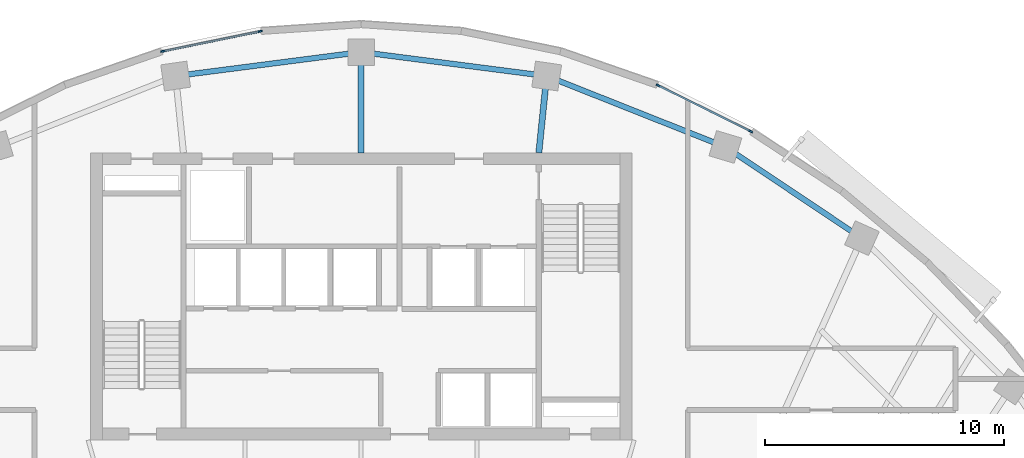
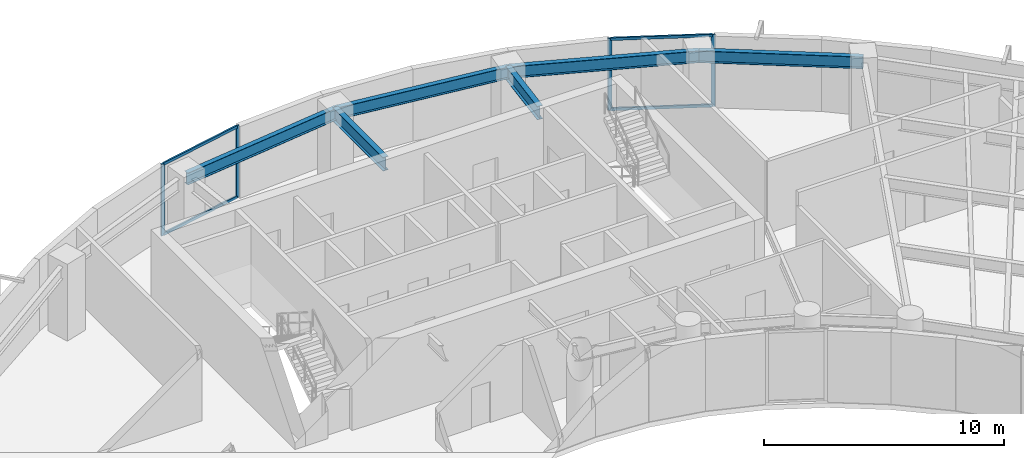
# One storey, part 5 of 13: 8 members, 6 beams, 2 elements without a shape of their own.
"""IFC4 building model written with IfcOpenShell, lengths in metres."""

from ifc_helpers import new_model, si_unit, direction, frame, origin, origin_2d, place, context, subcontext, project, spatial, rectangle, i_section, extrude, source, transform, mapped, material, layer, layer_set, material_profile, profile_set, type_object, element, aggregate, save


model = new_model("IFC4")

# Units and contexts
model_context = context("Model", 3, precision=1e-05, world=origin(), true_north=direction((0.0, 1.0)))
body_context = subcontext(model_context, "Body", "Model", "MODEL_VIEW")
ifc_project = project(units=[si_unit("LENGTHUNIT", "METRE"), si_unit("AREAUNIT", "SQUARE_METRE"), si_unit("VOLUMEUNIT", "CUBIC_METRE"), si_unit("PLANEANGLEUNIT", "RADIAN"), si_unit("MASSUNIT", "GRAM", prefix="KILO")], contexts=[model_context])

# Site, building, storey
site_placement = place(None, origin())
site = spatial("IfcSite", under=ifc_project, at=site_placement, CompositionType="ELEMENT")
building_placement = place(site_placement, origin())
building = spatial("IfcBuilding", under=site, at=building_placement, Name="Breltana Convention Tower", CompositionType="ELEMENT")
storey_placement = place(building_placement, frame((0.0, 0.0, 158.39990234375)))
storey = spatial("IfcBuildingStorey", under=building, at=storey_placement, Name="L38", CompositionType="ELEMENT", Elevation=158.39990234375)

# Beams
ifc_material_1 = material(Name="Steel ASTM A992 Grade 50", Category="steel")
ifc_material_profile_1 = material_profile(ifc_material_1, i_section(OverallWidth=0.25390625, OverallDepth=0.68798828125, WebThickness=0.01318359375, FlangeThickness=0.02099609375, at=origin_2d()), Name="W27X102")
ifc_profile_set_1 = profile_set([ifc_material_profile_1], Name="Steel ASTM A992 Grade 50")
beam_type_1 = type_object("IfcBeamType", Name="BM-RG-W27X102", PredefinedType="USERDEFINED", material=ifc_profile_set_1)
shared_shape_1 = source(origin(), body_context, "Body", "SweptSolid", [
    extrude(i_section(OverallWidth=0.25390625, OverallDepth=0.68798828125, WebThickness=0.01318359375, FlangeThickness=0.02099609375, at=origin_2d()), origin(), (0.0, 0.0, 1.0), 3.220947265625),
])
beam_1_placement = place(storey_placement, frame((55.419921875, 72.199951171875, 3.30615234375), z_axis=(0.101492254858, 0.994836329355, 0.0), x_axis=(-0.994836329355, 0.101492254858, 0.0)))
element("IfcBeam", 1, at=beam_1_placement, inside=storey, type_object=beam_type_1, Name="L38 North Core Radial Girder R07", ObjectType="GIRDER", PredefinedType="USERDEFINED", context=body_context, shape_type="MappedRepresentation", body=[
    mapped(shared_shape_1, transform((0.0, 0.0, 0.0), scale=1.0)),
])
shared_shape_2 = source(origin(), body_context, "Body", "SweptSolid", [
    extrude(i_section(OverallWidth=0.25390625, OverallDepth=0.68798828125, WebThickness=0.01318359375, FlangeThickness=0.02099609375, at=origin_2d()), origin(), (0.0, 0.0, 1.0), 4.2041015625),
])
beam_2_placement = place(storey_placement, frame((48.0, 72.199951171875, 3.30615234375), z_axis=(0.0, 1.0, 0.0), x_axis=(-1.0, 0.0, 0.0)))
element("IfcBeam", 2, at=beam_2_placement, inside=storey, type_object=beam_type_1, Name="L38 North Core Radial Girder R06", ObjectType="GIRDER", PredefinedType="USERDEFINED", context=body_context, shape_type="MappedRepresentation", body=[
    mapped(shared_shape_2, transform((0.0, 0.0, 0.0), scale=1.0)),
])
ifc_material_profile_2 = material_profile(ifc_material_1, i_section(OverallWidth=0.22802734375, OverallDepth=0.60791015625, WebThickness=0.01123046875, FlangeThickness=0.017333984375, at=origin_2d()), Name="W24X76")
ifc_profile_set_2 = profile_set([ifc_material_profile_2], Name="Steel ASTM A992 Grade 50")
beam_type_2 = type_object("IfcBeamType", Name="BM-SP-W24X76", PredefinedType="SPANDREL", material=ifc_profile_set_2)
shared_shape_3 = source(origin(), body_context, "Body", "SweptSolid", [
    extrude(i_section(OverallWidth=0.22802734375, OverallDepth=0.60791015625, WebThickness=0.01123046875, FlangeThickness=0.017333984375, at=origin_2d()), origin(), (0.0, 0.0, 1.0), 8.028564453125),
])
beam_3_placement = place(storey_placement, frame((55.746826171875, 75.404296875, 3.34619140625), z_axis=(0.929459100394, -0.368925169507, 0.0), x_axis=(0.368925169507, 0.929459100394, 0.0)))
element("IfcBeam", 3, at=beam_3_placement, inside=storey, type_object=beam_type_2, Name="L38 Outer Spandrel Beam 07", PredefinedType="SPANDREL", context=body_context, shape_type="MappedRepresentation", body=[
    mapped(shared_shape_3, transform((0.0, 0.0, 0.0), scale=1.0)),
])
shared_shape_4 = source(origin(), body_context, "Body", "SweptSolid", [
    extrude(i_section(OverallWidth=0.22802734375, OverallDepth=0.60791015625, WebThickness=0.01123046875, FlangeThickness=0.017333984375, at=origin_2d()), origin(), (0.0, 0.0, 1.0), 7.81103515625),
])
for number, where, z_axis, x_axis, name in (
    (4, (40.253173828125, 75.404296875, 3.34619140625), (0.991775179127, 0.127992164083, 0.0), (-0.127992164083, 0.991775179127, 0.0), "L38 Outer Spandrel Beam 05"),
    (5, (48.0, 76.404052734375, 3.34619140625), (0.991775179127, -0.127992164083, 0.0), (0.127992164083, 0.991775179127, 0.0), "L38 Outer Spandrel Beam 06"),
):
    element("IfcBeam", number, at=place(storey_placement, frame(where, z_axis=z_axis, x_axis=x_axis)), inside=storey, type_object=beam_type_2, Name=name, PredefinedType="SPANDREL", context=body_context, shape_type="MappedRepresentation", body=[
        mapped(shared_shape_4, transform((0.0, 0.0, 0.0), scale=1.0)),
    ])
shared_shape_5 = source(origin(), body_context, "Body", "SweptSolid", [
    extrude(i_section(OverallWidth=0.22802734375, OverallDepth=0.60791015625, WebThickness=0.01123046875, FlangeThickness=0.017333984375, at=origin_2d()), origin(), (0.0, 0.0, 1.0), 6.856689453125),
])
beam_4_placement = place(storey_placement, frame((63.208984375, 72.4423828125, 3.34619140625), z_axis=(0.83150210718, -0.55552159792, 0.0), x_axis=(0.55552159792, 0.83150210718, 0.0)))
element("IfcBeam", 6, at=beam_4_placement, inside=storey, type_object=beam_type_2, Name="L38 Outer Spandrel Beam 08", PredefinedType="SPANDREL", context=body_context, shape_type="MappedRepresentation", body=[
    mapped(shared_shape_5, transform((0.0, 0.0, 0.0), scale=1.0)),
])

# Curtain wall, members
ifc_material_2 = material(Name="Aluminium Anodised Bronze Frame", Category="aluminium")
ifc_layer = layer(ifc_material_2, 0.2099609375, Name="Aluminium Anodised Bronze Frame")
ifc_layer_set = layer_set([ifc_layer], Name="Aluminium Anodised Bronze Frame")
curtain_wall_type = type_object("IfcCurtainWallType", Name="CW-SYS-3", PredefinedType="NOTDEFINED", material=ifc_layer_set)
curtain_wall_1_placement = place(storey_placement, origin())
curtain_wall_1 = element("IfcCurtainWall", 7, at=curtain_wall_1_placement, inside=storey, type_object=curtain_wall_type, Name="L38 outer double-skin inner glazing 3", PredefinedType="NOTDEFINED")
ifc_material_3 = material(Name="Aluminium Anodised Bronze", Category="aluminium")
ifc_material_profile_3 = material_profile(ifc_material_3, rectangle(XDim=0.070068359375, YDim=0.175048828125, at=origin_2d()), Name="CWM-70X175")
ifc_profile_set_3 = profile_set([ifc_material_profile_3], Name="Aluminium Anodised Bronze")
member_type_1 = type_object("IfcMemberType", Name="CWM-175", PredefinedType="MULLION", material=ifc_profile_set_3)
shared_shape_6 = source(origin(), body_context, "Body", "SweptSolid", [
    extrude(rectangle(XDim=0.070068359375, YDim=0.175048828125, at=origin_2d()), origin(), (0.0, 0.0, 1.0), 3.650146484375),
])
member_1_placement = place(storey_placement, frame((39.71728515625, 76.4384765625, 0.0), z_axis=(0.0, 0.0, 1.0), x_axis=(-0.200876562668, 0.979616560993, 0.0)))
member_1 = element("IfcMember", 8, at=member_1_placement, type_object=member_type_1, Name="CW-03 mullion 1", PredefinedType="MULLION", context=body_context, shape_type="MappedRepresentation", body=[
    mapped(shared_shape_6, transform((0.0, 0.0, 0.0), scale=1.0)),
])
member_2_placement = place(storey_placement, frame((43.7861328125, 77.272705078125, 0.0), z_axis=(0.0, 0.0, 1.0), x_axis=(-0.200876562668, 0.979616560993, 0.0)))
member_2 = element("IfcMember", 9, at=member_2_placement, type_object=member_type_1, Name="CW-03 mullion 2", PredefinedType="MULLION", context=body_context, shape_type="MappedRepresentation", body=[
    mapped(shared_shape_6, transform((0.0, 0.0, 0.0), scale=1.0)),
])

curtain_wall_2_placement = place(storey_placement, origin())
curtain_wall_2 = element("IfcCurtainWall", 10, at=curtain_wall_2_placement, inside=storey, type_object=curtain_wall_type, Name="L38 outer double-skin inner glazing 4", PredefinedType="NOTDEFINED")
member_3_placement = place(storey_placement, frame((60.40185546875, 75.011474609375, 0.0), z_axis=(0.0, 0.0, 1.0), x_axis=(0.444117835682, 0.895968385619, 0.0)))
member_3 = element("IfcMember", 11, at=member_3_placement, type_object=member_type_1, Name="CW-03 mullion 1", PredefinedType="MULLION", context=body_context, shape_type="MappedRepresentation", body=[
    mapped(shared_shape_6, transform((0.0, 0.0, 0.0), scale=1.0)),
])
member_4_placement = place(storey_placement, frame((64.266845703125, 73.095458984375, 0.0), z_axis=(0.0, 0.0, 1.0), x_axis=(0.444117835682, 0.895968385619, 0.0)))
member_4 = element("IfcMember", 12, at=member_4_placement, type_object=member_type_1, Name="CW-03 mullion 2", PredefinedType="MULLION", context=body_context, shape_type="MappedRepresentation", body=[
    mapped(shared_shape_6, transform((0.0, 0.0, 0.0), scale=1.0)),
])
ifc_material_profile_4 = material_profile(ifc_material_3, rectangle(XDim=0.080078125, YDim=0.139892578125, at=origin_2d()), Name="CWT-80X140")
ifc_profile_set_4 = profile_set([ifc_material_profile_4], Name="Aluminium Anodised Bronze")
member_type_2 = type_object("IfcMemberType", Name="CWT-140", PredefinedType="USERDEFINED", material=ifc_profile_set_4)
shared_shape_7 = source(origin(), body_context, "Body", "SweptSolid", [
    extrude(rectangle(XDim=0.080078125, YDim=0.139892578125, at=origin_2d()), origin(), (0.0, 0.0, 1.0), 4.243896484375),
])
member_5_placement = place(storey_placement, frame((60.43310546875, 74.995849609375, 0.0400390625), z_axis=(0.895975011629, -0.444104468043, 0.0), x_axis=(0.444104468043, 0.895975011629, 0.0)))
member_5 = element("IfcMember", 13, at=member_5_placement, type_object=member_type_2, Name="CW-03 transom 1.1", ObjectType="TRANSOM", PredefinedType="USERDEFINED", context=body_context, shape_type="MappedRepresentation", body=[
    mapped(shared_shape_7, transform((0.0, 0.0, 0.0), scale=1.0)),
])
member_6_placement = place(storey_placement, frame((60.43310546875, 74.995849609375, 3.610107421875), z_axis=(0.895975011629, -0.444104468043, 0.0), x_axis=(0.444104468043, 0.895975011629, 0.0)))
member_6 = element("IfcMember", 14, at=member_6_placement, type_object=member_type_2, Name="CW-03 transom 1.2", ObjectType="TRANSOM", PredefinedType="USERDEFINED", context=body_context, shape_type="MappedRepresentation", body=[
    mapped(shared_shape_7, transform((0.0, 0.0, 0.0), scale=1.0)),
])
aggregate(curtain_wall_2, [member_3, member_4, member_5, member_6])

# Member
shared_shape_8 = source(origin(), body_context, "Body", "SweptSolid", [
    extrude(rectangle(XDim=0.080078125, YDim=0.139892578125, at=origin_2d()), origin(), (0.0, 0.0, 1.0), 4.08349609375),
])
member_7_placement = place(storey_placement, frame((39.75146484375, 76.445556640625, 0.0400390625), z_axis=(0.979626533509, 0.20082792347, 0.0), x_axis=(-0.20082792347, 0.979626533509, 0.0)))
member_7 = element("IfcMember", 15, at=member_7_placement, type_object=member_type_2, Name="CW-03 transom 1.1", ObjectType="TRANSOM", PredefinedType="USERDEFINED", context=body_context, shape_type="MappedRepresentation", body=[
    mapped(shared_shape_8, transform((0.0, 0.0, 0.0), scale=1.0)),
])

member_8_placement = place(storey_placement, frame((39.75146484375, 76.445556640625, 3.610107421875), z_axis=(0.979626533509, 0.20082792347, 0.0), x_axis=(-0.20082792347, 0.979626533509, 0.0)))
member_8 = element("IfcMember", 16, at=member_8_placement, type_object=member_type_2, Name="CW-03 transom 1.2", ObjectType="TRANSOM", PredefinedType="USERDEFINED", context=body_context, shape_type="MappedRepresentation", body=[
    mapped(shared_shape_8, transform((0.0, 0.0, 0.0), scale=1.0)),
])

aggregate(curtain_wall_1, [member_1, member_2, member_7, member_8])

save(model, "model.ifc")
